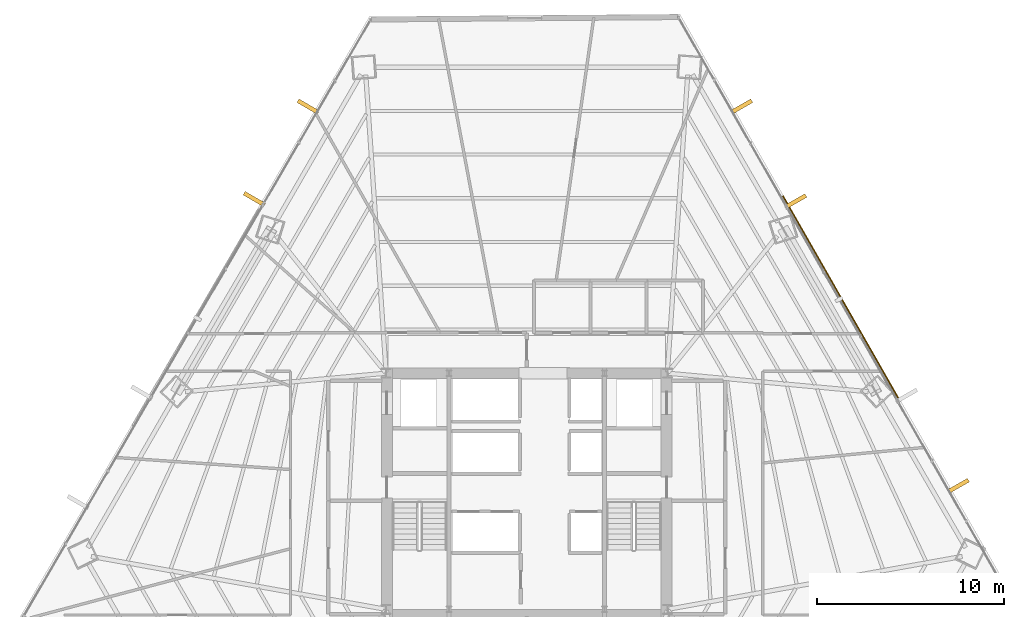
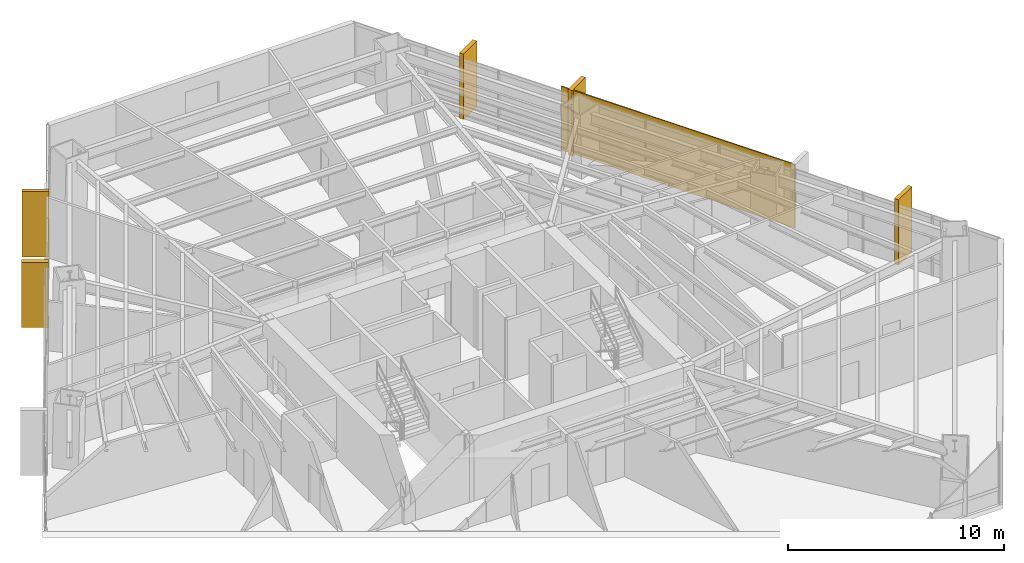
# One storey, part 35 of 35: 5 coverings, 1 shading device.
"""IFC4 building model written with IfcOpenShell, lengths in metres."""

from ifc_helpers import new_model, si_unit, direction, frame, origin, origin_2d, place, context, subcontext, project, spatial, rectangle, extrude, source, transform, mapped, material, layer, layer_set, type_object, type_shapes, element, save


model = new_model("IFC4")

# Units and contexts
model_context = context("Model", 3, precision=1e-05, world=origin(), true_north=direction((0.0, 1.0)))
body_context = subcontext(model_context, "Body", "Model", "MODEL_VIEW")
ifc_project = project(units=[si_unit("LENGTHUNIT", "METRE"), si_unit("AREAUNIT", "SQUARE_METRE"), si_unit("VOLUMEUNIT", "CUBIC_METRE"), si_unit("PLANEANGLEUNIT", "RADIAN"), si_unit("MASSUNIT", "GRAM", prefix="KILO")], contexts=[model_context])

# Site, building, storey
site_placement = place(None, origin())
site = spatial("IfcSite", under=ifc_project, at=site_placement, CompositionType="ELEMENT")
building_placement = place(site_placement, origin())
building = spatial("IfcBuilding", under=site, at=building_placement, Name="Caelisora Broadcast Tower", CompositionType="ELEMENT")
storey_placement = place(building_placement, frame((0.0, 0.0, 53.14990234375)))
storey = spatial("IfcBuildingStorey", under=building, at=storey_placement, Name="L13", CompositionType="ELEMENT", Elevation=53.14990234375)

# Coverings
ifc_material_1 = material(Name="Kiln-Fired Terracotta Spandrel Rainscreen Cladding", Category="ceramic")
ifc_layer_1 = layer(ifc_material_1, 0.044921875, Name="Kiln-Fired Terracotta Spandrel Rainscreen Cladding")
ifc_layer_set_1 = layer_set([ifc_layer_1], Name="Kiln-Fired Terracotta Spandrel Rainscreen Cladding")
covering_type = type_object("IfcCoveringType", Name="CL-1", PredefinedType="CLADDING", material=ifc_layer_set_1)
shared_shape_1 = source(origin(), body_context, "Body", "SweptSolid", [
    extrude(rectangle(XDim=0.219970703125, YDim=1.25, at=origin_2d()), origin(), (0.0, 0.0, 1.0), 3.68994140625),
])
type_shapes(covering_type, [shared_shape_1])
for number, where, z_axis, x_axis, name in (
    (1, (49.458984375, 44.2216796875, -0.019775390625), (0.0, 0.0, 1.0), (0.496064966839, -0.868285407383, 0.0), "L13 vertical solar fin cladding #1-1"),
    (2, (52.3466796875, 39.16650390625, -0.019775390625), (0.0, 0.0, 1.0), (0.496064966839, -0.868285407383, 0.0), "L13 vertical solar fin cladding #1-2"),
    (3, (61.018798828125, 23.98583984375, -0.019775390625), (0.0, 0.0, 1.0), (0.496064966839, -0.868285407383, 0.0), "L13 vertical solar fin cladding #1-4"),
    (4, (23.465087890625, 39.287841796875, -0.019775390625), (0.0, 0.0, 1.0), (0.50286909456, 0.864362582332, 0.0), "L13 vertical solar fin cladding #3-3"),
    (5, (26.334716796875, 44.2197265625, -0.019775390625), (0.0, 0.0, 1.0), (0.50286909456, 0.864362582332, 0.0), "L13 vertical solar fin cladding #3-4"),
):
    element("IfcCovering", number, at=place(storey_placement, frame(where, z_axis=z_axis, x_axis=x_axis)), inside=storey, type_object=covering_type, Name=name, PredefinedType="CLADDING", context=body_context, shape_type="MappedRepresentation", body=[
        mapped(shared_shape_1, transform((0.0, 0.0, 0.0), scale=1.0)),
    ])

# Shading device
ifc_material_2 = material(Name="Perforated Glazed Terracotta Baguette Solar Screen", Category="ceramic")
ifc_layer_2 = layer(ifc_material_2, 0.06494140625, Name="Perforated Glazed Terracotta Baguette Solar Screen")
ifc_layer_set_2 = layer_set([ifc_layer_2], Name="Perforated Glazed Terracotta Baguette Solar Screen")
shading_device_type = type_object("IfcShadingDeviceType", Name="SS-1", PredefinedType="USERDEFINED", material=ifc_layer_set_2)
shared_shape_2 = source(origin(), body_context, "Body", "SweptSolid", [
    extrude(rectangle(XDim=12.5458984375, YDim=0.06494140625, at=origin_2d()), origin(), (0.0, 0.0, 1.0), 3.590087890625),
])
type_shapes(shading_device_type, [shared_shape_2])
shading_device_placement = place(storey_placement, frame((54.7802734375, 33.999755859375, 0.0), z_axis=(0.0, 0.0, 1.0), x_axis=(-0.496064966839, 0.868285407383, 0.0)))
element("IfcShadingDevice", 6, at=shading_device_placement, inside=storey, type_object=shading_device_type, Name="L13 perforated terracotta solar screen #3", ObjectType="SOLAR SCREEN", PredefinedType="USERDEFINED", context=body_context, shape_type="MappedRepresentation", body=[
    mapped(shared_shape_2, transform((0.0, 0.0, 0.0), scale=1.0)),
])

save(model, "model.ifc")
